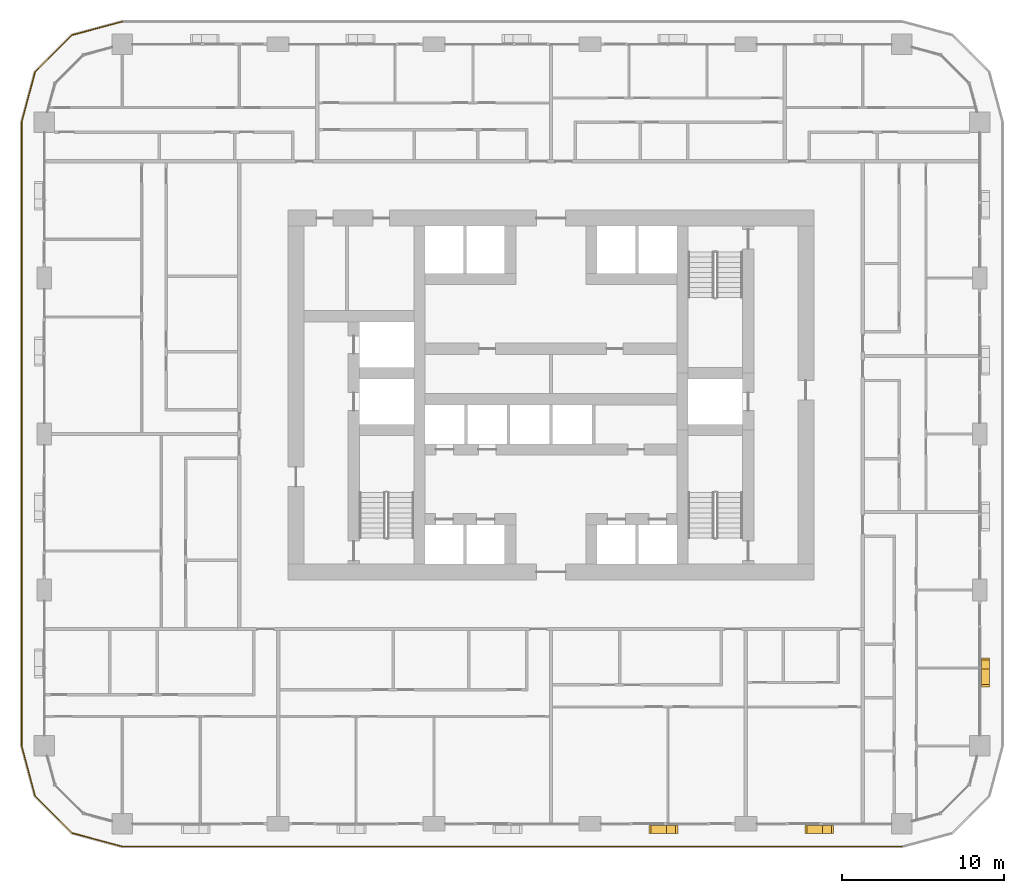
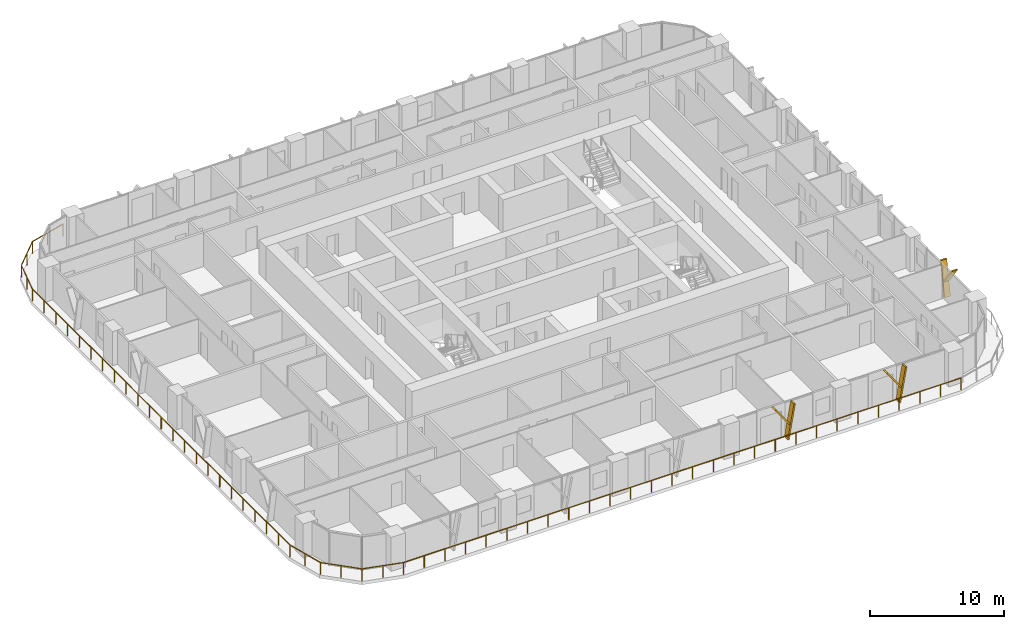
# One storey, part 18 of 21: 6 shading devices, 1 railing.
"""IFC4 building model written with IfcOpenShell, lengths in metres."""

from ifc_helpers import new_model, si_unit, direction, frame, origin, origin_2d, place, context, subcontext, project, spatial, polyline, circle, outline, extrude, material, type_object, element, save


model = new_model("IFC4")

# Units and contexts
model_context = context("Model", 3, precision=1e-05, world=origin(), true_north=direction((0.0, 1.0)))
body_context = subcontext(model_context, "Body", "Model", "MODEL_VIEW")
ifc_project = project(units=[si_unit("LENGTHUNIT", "METRE"), si_unit("AREAUNIT", "SQUARE_METRE"), si_unit("VOLUMEUNIT", "CUBIC_METRE"), si_unit("PLANEANGLEUNIT", "RADIAN"), si_unit("MASSUNIT", "GRAM", prefix="KILO")], contexts=[model_context])

# Site, building, storey
site_placement = place(None, origin())
site = spatial("IfcSite", under=ifc_project, at=site_placement, CompositionType="ELEMENT")
building_placement = place(site_placement, origin())
building = spatial("IfcBuilding", under=site, at=building_placement, Name="Madar Terraces", CompositionType="ELEMENT")
storey_placement = place(building_placement, frame((0.0, 0.0, 50.39990234375)))
storey = spatial("IfcBuildingStorey", under=building, at=storey_placement, Name="L12", CompositionType="ELEMENT", Elevation=50.39990234375)

# Railing
ifc_material_1 = material(Name="Glass, safety glazing, with stainless steel posts", Category="steel")
railing_type = type_object("IfcRailingType", Name="Balcony glass guard 1100", PredefinedType="GUARDRAIL", material=ifc_material_1)
railing_placement = place(storey_placement, frame((4.800048828125, 49.39990234375, 0.0)))
element("IfcRailing", 1, at=railing_placement, inside=storey, type_object=railing_type, Name="Balcony guard", PredefinedType="GUARDRAIL", context=body_context, shape_type="SweptSolid", body=[
    extrude(circle(Radius=0.02392578125, at=origin_2d()), frame((0.0, 0.0, 1.076171875), z_axis=(-0.9659337912, -0.258789317819, 0.0), x_axis=(0.258789317819, -0.9659337912, 0.0)), (0.0, 0.0, 1.0), 3.20947265625),
    extrude(circle(Radius=0.02392578125, at=origin_2d()), frame((-3.10009765625, -0.83056640625, 1.076171875), z_axis=(-0.707106781187, -0.707106781187, 0.0), x_axis=(0.707106781187, -0.707106781187, 0.0)), (0.0, 0.0, 1.0), 3.209228515625),
    extrude(circle(Radius=0.02392578125, at=origin_2d()), frame((-5.369384765625, -3.099853515625, 1.076171875), z_axis=(-0.258789317819, -0.9659337912, 0.0), x_axis=(0.9659337912, -0.258789317819, 0.0)), (0.0, 0.0, 1.0), 3.20947265625),
    extrude(circle(Radius=0.02392578125, at=origin_2d()), frame((-6.199951171875, -6.199951171875, 1.076171875), z_axis=(0.0, -1.0, 0.0), x_axis=(1.0, 0.0, 0.0)), (0.0, 0.0, 1.0), 38.39990234375),
    extrude(circle(Radius=0.02392578125, at=origin_2d()), frame((-6.199951171875, -44.599853515625, 1.076171875), z_axis=(0.258789317819, -0.9659337912, 0.0), x_axis=(0.9659337912, 0.258789317819, 0.0)), (0.0, 0.0, 1.0), 3.20947265625),
    extrude(circle(Radius=0.02392578125, at=origin_2d()), frame((-5.369384765625, -47.699951171875, 1.076171875), z_axis=(0.707106781187, -0.707106781187, 0.0), x_axis=(0.707106781187, 0.707106781187, 0.0)), (0.0, 0.0, 1.0), 3.209228515625),
    extrude(circle(Radius=0.02392578125, at=origin_2d()), frame((-3.10009765625, -49.96923828125, 1.076171875), z_axis=(0.9659337912, -0.258789317819, 0.0), x_axis=(0.258789317819, 0.9659337912, 0.0)), (0.0, 0.0, 1.0), 3.20947265625),
    extrude(circle(Radius=0.02392578125, at=origin_2d()), frame((0.0, -50.7998046875, 1.076171875), z_axis=(1.0, 0.0, 0.0), x_axis=(0.0, 1.0, 0.0)), (0.0, 0.0, 1.0), 48.0),
    extrude(circle(Radius=0.02099609375, at=origin_2d()), origin(), (0.0, 0.0, 1.0), 1.052001953125),
    extrude(circle(Radius=0.02099609375, at=origin_2d()), frame((-1.550048828125, -0.415283203125, 0.0)), (0.0, 0.0, 1.0), 1.052001953125),
    extrude(circle(Radius=0.02099609375, at=origin_2d()), frame((-3.10009765625, -0.83056640625, 0.0)), (0.0, 0.0, 1.0), 1.052001953125),
    extrude(circle(Radius=0.02099609375, at=origin_2d()), frame((-4.23486328125, -1.96533203125, 0.0)), (0.0, 0.0, 1.0), 1.052001953125),
    extrude(circle(Radius=0.02099609375, at=origin_2d()), frame((-5.369384765625, -3.099853515625, 0.0)), (0.0, 0.0, 1.0), 1.052001953125),
    extrude(circle(Radius=0.02099609375, at=origin_2d()), frame((-5.78466796875, -4.64990234375, 0.0)), (0.0, 0.0, 1.0), 1.052001953125),
    extrude(circle(Radius=0.02099609375, at=origin_2d()), frame((-6.199951171875, -6.199951171875, 0.0)), (0.0, 0.0, 1.0), 1.052001953125),
    extrude(circle(Radius=0.02099609375, at=origin_2d()), frame((-6.199951171875, -7.9453125, 0.0)), (0.0, 0.0, 1.0), 1.052001953125),
    extrude(circle(Radius=0.02099609375, at=origin_2d()), frame((-6.199951171875, -9.69091796875, 0.0)), (0.0, 0.0, 1.0), 1.052001953125),
    extrude(circle(Radius=0.02099609375, at=origin_2d()), frame((-6.199951171875, -11.436279296875, 0.0)), (0.0, 0.0, 1.0), 1.052001953125),
    extrude(circle(Radius=0.02099609375, at=origin_2d()), frame((-6.199951171875, -13.181640625, 0.0)), (0.0, 0.0, 1.0), 1.052001953125),
    extrude(circle(Radius=0.02099609375, at=origin_2d()), frame((-6.199951171875, -14.92724609375, 0.0)), (0.0, 0.0, 1.0), 1.052001953125),
    extrude(circle(Radius=0.02099609375, at=origin_2d()), frame((-6.199951171875, -16.672607421875, 0.0)), (0.0, 0.0, 1.0), 1.052001953125),
    extrude(circle(Radius=0.02099609375, at=origin_2d()), frame((-6.199951171875, -18.418212890625, 0.0)), (0.0, 0.0, 1.0), 1.052001953125),
    extrude(circle(Radius=0.02099609375, at=origin_2d()), frame((-6.199951171875, -20.16357421875, 0.0)), (0.0, 0.0, 1.0), 1.052001953125),
    extrude(circle(Radius=0.02099609375, at=origin_2d()), frame((-6.199951171875, -21.908935546875, 0.0)), (0.0, 0.0, 1.0), 1.052001953125),
    extrude(circle(Radius=0.02099609375, at=origin_2d()), frame((-6.199951171875, -23.654541015625, 0.0)), (0.0, 0.0, 1.0), 1.052001953125),
    extrude(circle(Radius=0.02099609375, at=origin_2d()), frame((-6.199951171875, -25.39990234375, 0.0)), (0.0, 0.0, 1.0), 1.052001953125),
    extrude(circle(Radius=0.02099609375, at=origin_2d()), frame((-6.199951171875, -27.145263671875, 0.0)), (0.0, 0.0, 1.0), 1.052001953125),
    extrude(circle(Radius=0.02099609375, at=origin_2d()), frame((-6.199951171875, -28.890869140625, 0.0)), (0.0, 0.0, 1.0), 1.052001953125),
    extrude(circle(Radius=0.02099609375, at=origin_2d()), frame((-6.199951171875, -30.63623046875, 0.0)), (0.0, 0.0, 1.0), 1.052001953125),
    extrude(circle(Radius=0.02099609375, at=origin_2d()), frame((-6.199951171875, -32.381591796875, 0.0)), (0.0, 0.0, 1.0), 1.052001953125),
    extrude(circle(Radius=0.02099609375, at=origin_2d()), frame((-6.199951171875, -34.127197265625, 0.0)), (0.0, 0.0, 1.0), 1.052001953125),
    extrude(circle(Radius=0.02099609375, at=origin_2d()), frame((-6.199951171875, -35.87255859375, 0.0)), (0.0, 0.0, 1.0), 1.052001953125),
    extrude(circle(Radius=0.02099609375, at=origin_2d()), frame((-6.199951171875, -37.6181640625, 0.0)), (0.0, 0.0, 1.0), 1.052001953125),
    extrude(circle(Radius=0.02099609375, at=origin_2d()), frame((-6.199951171875, -39.363525390625, 0.0)), (0.0, 0.0, 1.0), 1.052001953125),
    extrude(circle(Radius=0.02099609375, at=origin_2d()), frame((-6.199951171875, -41.10888671875, 0.0)), (0.0, 0.0, 1.0), 1.052001953125),
    extrude(circle(Radius=0.02099609375, at=origin_2d()), frame((-6.199951171875, -42.8544921875, 0.0)), (0.0, 0.0, 1.0), 1.052001953125),
    extrude(circle(Radius=0.02099609375, at=origin_2d()), frame((-6.199951171875, -44.599853515625, 0.0)), (0.0, 0.0, 1.0), 1.052001953125),
    extrude(circle(Radius=0.02099609375, at=origin_2d()), frame((-5.78466796875, -46.14990234375, 0.0)), (0.0, 0.0, 1.0), 1.052001953125),
    extrude(circle(Radius=0.02099609375, at=origin_2d()), frame((-5.369384765625, -47.699951171875, 0.0)), (0.0, 0.0, 1.0), 1.052001953125),
    extrude(circle(Radius=0.02099609375, at=origin_2d()), frame((-4.23486328125, -48.83447265625, 0.0)), (0.0, 0.0, 1.0), 1.052001953125),
    extrude(circle(Radius=0.02099609375, at=origin_2d()), frame((-3.10009765625, -49.96923828125, 0.0)), (0.0, 0.0, 1.0), 1.052001953125),
    extrude(circle(Radius=0.02099609375, at=origin_2d()), frame((-1.550048828125, -50.384521484375, 0.0)), (0.0, 0.0, 1.0), 1.052001953125),
    extrude(circle(Radius=0.02099609375, at=origin_2d()), frame((0.0, -50.7998046875, 0.0)), (0.0, 0.0, 1.0), 1.052001953125),
    extrude(circle(Radius=0.02099609375, at=origin_2d()), frame((1.77783203125, -50.7998046875, 0.0)), (0.0, 0.0, 1.0), 1.052001953125),
    extrude(circle(Radius=0.02099609375, at=origin_2d()), frame((3.5556640625, -50.7998046875, 0.0)), (0.0, 0.0, 1.0), 1.052001953125),
    extrude(circle(Radius=0.02099609375, at=origin_2d()), frame((5.333251953125, -50.7998046875, 0.0)), (0.0, 0.0, 1.0), 1.052001953125),
    extrude(circle(Radius=0.02099609375, at=origin_2d()), frame((7.111083984375, -50.7998046875, 0.0)), (0.0, 0.0, 1.0), 1.052001953125),
    extrude(circle(Radius=0.02099609375, at=origin_2d()), frame((8.888916015625, -50.7998046875, 0.0)), (0.0, 0.0, 1.0), 1.052001953125),
    extrude(circle(Radius=0.02099609375, at=origin_2d()), frame((10.666748046875, -50.7998046875, 0.0)), (0.0, 0.0, 1.0), 1.052001953125),
    extrude(circle(Radius=0.02099609375, at=origin_2d()), frame((12.4443359375, -50.7998046875, 0.0)), (0.0, 0.0, 1.0), 1.052001953125),
    extrude(circle(Radius=0.02099609375, at=origin_2d()), frame((14.22216796875, -50.7998046875, 0.0)), (0.0, 0.0, 1.0), 1.052001953125),
    extrude(circle(Radius=0.02099609375, at=origin_2d()), frame((16.0, -50.7998046875, 0.0)), (0.0, 0.0, 1.0), 1.052001953125),
    extrude(circle(Radius=0.02099609375, at=origin_2d()), frame((17.77783203125, -50.7998046875, 0.0)), (0.0, 0.0, 1.0), 1.052001953125),
    extrude(circle(Radius=0.02099609375, at=origin_2d()), frame((19.5556640625, -50.7998046875, 0.0)), (0.0, 0.0, 1.0), 1.052001953125),
    extrude(circle(Radius=0.02099609375, at=origin_2d()), frame((21.333251953125, -50.7998046875, 0.0)), (0.0, 0.0, 1.0), 1.052001953125),
    extrude(circle(Radius=0.02099609375, at=origin_2d()), frame((23.111083984375, -50.7998046875, 0.0)), (0.0, 0.0, 1.0), 1.052001953125),
    extrude(circle(Radius=0.02099609375, at=origin_2d()), frame((24.888916015625, -50.7998046875, 0.0)), (0.0, 0.0, 1.0), 1.052001953125),
    extrude(circle(Radius=0.02099609375, at=origin_2d()), frame((26.666748046875, -50.7998046875, 0.0)), (0.0, 0.0, 1.0), 1.052001953125),
    extrude(circle(Radius=0.02099609375, at=origin_2d()), frame((28.4443359375, -50.7998046875, 0.0)), (0.0, 0.0, 1.0), 1.052001953125),
    extrude(circle(Radius=0.02099609375, at=origin_2d()), frame((30.22216796875, -50.7998046875, 0.0)), (0.0, 0.0, 1.0), 1.052001953125),
    extrude(circle(Radius=0.02099609375, at=origin_2d()), frame((32.0, -50.7998046875, 0.0)), (0.0, 0.0, 1.0), 1.052001953125),
    extrude(circle(Radius=0.02099609375, at=origin_2d()), frame((33.77783203125, -50.7998046875, 0.0)), (0.0, 0.0, 1.0), 1.052001953125),
    extrude(circle(Radius=0.02099609375, at=origin_2d()), frame((35.5556640625, -50.7998046875, 0.0)), (0.0, 0.0, 1.0), 1.052001953125),
    extrude(circle(Radius=0.02099609375, at=origin_2d()), frame((37.333251953125, -50.7998046875, 0.0)), (0.0, 0.0, 1.0), 1.052001953125),
    extrude(circle(Radius=0.02099609375, at=origin_2d()), frame((39.111083984375, -50.7998046875, 0.0)), (0.0, 0.0, 1.0), 1.052001953125),
    extrude(circle(Radius=0.02099609375, at=origin_2d()), frame((40.888916015625, -50.7998046875, 0.0)), (0.0, 0.0, 1.0), 1.052001953125),
    extrude(circle(Radius=0.02099609375, at=origin_2d()), frame((42.666748046875, -50.7998046875, 0.0)), (0.0, 0.0, 1.0), 1.052001953125),
    extrude(circle(Radius=0.02099609375, at=origin_2d()), frame((44.4443359375, -50.7998046875, 0.0)), (0.0, 0.0, 1.0), 1.052001953125),
    extrude(circle(Radius=0.02099609375, at=origin_2d()), frame((46.22216796875, -50.7998046875, 0.0)), (0.0, 0.0, 1.0), 1.052001953125),
    extrude(circle(Radius=0.02099609375, at=origin_2d()), frame((48.0, -50.7998046875, 0.0)), (0.0, 0.0, 1.0), 1.052001953125),
])

# Shading devices
ifc_material_2 = material(Name="Aluminium, black anodised", Category="aluminium")
shading_device_type = type_object("IfcShadingDeviceType", Name="Facade fin blade 140 x 500", PredefinedType="USERDEFINED", material=ifc_material_2)
shading_device_1_placement = place(storey_placement, frame((38.330078125, -0.35009765625, 0.0), z_axis=(0.0, 0.0, 1.0), x_axis=(1.0, 0.0, 0.0)))
element("IfcShadingDevice", 2, at=shading_device_1_placement, inside=storey, type_object=shading_device_type, Name="FIN L12 S4", ObjectType="FIN", PredefinedType="USERDEFINED", context=body_context, shape_type="SweptSolid", body=[
    extrude(outline(polyline([(0.0, 0.0), (0.139892578125, 0.0), (0.68310546875, 3.080078125), (0.54296875, 3.080078125), (0.0, 0.0)])), frame((0.0, 0.25, 0.0), z_axis=(0.0, -1.0, 0.0), x_axis=(1.0, 0.0, 0.0)), (0.0, 0.0, 1.0), 0.5),
])
shading_device_2_placement = place(storey_placement, frame((38.434326171875, -0.35009765625, 1.385986328125), z_axis=(0.0, 0.0, 1.0), x_axis=(1.0, 0.0, 0.0)))
element("IfcShadingDevice", 3, at=shading_device_2_placement, inside=storey, type_object=shading_device_type, Name="FIN L12 S4 branch", ObjectType="FIN", PredefinedType="USERDEFINED", context=body_context, shape_type="SweptSolid", body=[
    extrude(outline(polyline([(0.0, 0.0), (0.14013671875, 0.0), (-1.061279296875, 1.694091796875), (-1.201416015625, 1.694091796875), (0.0, 0.0)])), frame((0.0, 0.25, 0.0), z_axis=(0.0, -1.0, 0.0), x_axis=(1.0, 0.0, 0.0)), (0.0, 0.0, 1.0), 0.5),
])
shading_device_3_placement = place(storey_placement, frame((47.929931640625, -0.35009765625, 0.0), z_axis=(0.0, 0.0, 1.0), x_axis=(1.0, 0.0, 0.0)))
element("IfcShadingDevice", 4, at=shading_device_3_placement, inside=storey, type_object=shading_device_type, Name="FIN L12 S5", ObjectType="FIN", PredefinedType="USERDEFINED", context=body_context, shape_type="SweptSolid", body=[
    extrude(outline(polyline([(0.0, 0.0), (0.14013671875, 0.0), (0.68310546875, 3.080078125), (0.54296875, 3.080078125), (0.0, 0.0)])), frame((0.0, 0.25, 0.0), z_axis=(0.0, -1.0, 0.0), x_axis=(1.0, 0.0, 0.0)), (0.0, 0.0, 1.0), 0.5),
])
shading_device_4_placement = place(storey_placement, frame((48.034423828125, -0.35009765625, 1.385986328125), z_axis=(0.0, 0.0, 1.0), x_axis=(1.0, 0.0, 0.0)))
element("IfcShadingDevice", 5, at=shading_device_4_placement, inside=storey, type_object=shading_device_type, Name="FIN L12 S5 branch", ObjectType="FIN", PredefinedType="USERDEFINED", context=body_context, shape_type="SweptSolid", body=[
    extrude(outline(polyline([(0.0, 0.0), (0.139892578125, 0.0), (-1.061279296875, 1.694091796875), (-1.201416015625, 1.694091796875), (0.0, 0.0)])), frame((0.0, 0.25, 0.0), z_axis=(0.0, -1.0, 0.0), x_axis=(1.0, 0.0, 0.0)), (0.0, 0.0, 1.0), 0.5),
])
shading_device_5_placement = place(storey_placement, frame((57.949951171875, 9.530029296875, 0.0), z_axis=(0.0, 0.0, 1.0), x_axis=(0.0, 1.0, 0.0)))
element("IfcShadingDevice", 6, at=shading_device_5_placement, inside=storey, type_object=shading_device_type, Name="FIN L12 E1", ObjectType="FIN", PredefinedType="USERDEFINED", context=body_context, shape_type="SweptSolid", body=[
    extrude(outline(polyline([(0.0, 0.0), (0.139892578125, 0.0), (0.68310546875, 3.080078125), (0.54296875, 3.080078125), (0.0, 0.0)])), frame((0.0, 0.25, 0.0), z_axis=(0.0, -1.0, 0.0), x_axis=(1.0, 0.0, 0.0)), (0.0, 0.0, 1.0), 0.5),
])
shading_device_6_placement = place(storey_placement, frame((57.949951171875, 9.63427734375, 1.385986328125), z_axis=(0.0, 0.0, 1.0), x_axis=(0.0, 1.0, 0.0)))
element("IfcShadingDevice", 7, at=shading_device_6_placement, inside=storey, type_object=shading_device_type, Name="FIN L12 E1 branch", ObjectType="FIN", PredefinedType="USERDEFINED", context=body_context, shape_type="SweptSolid", body=[
    extrude(outline(polyline([(0.0, 0.0), (0.14013671875, 0.0), (-1.061279296875, 1.694091796875), (-1.201416015625, 1.694091796875), (0.0, 0.0)])), frame((0.0, 0.25, 0.0), z_axis=(0.0, -1.0, 0.0), x_axis=(1.0, 0.0, 0.0)), (0.0, 0.0, 1.0), 0.5),
])

save(model, "model.ifc")
